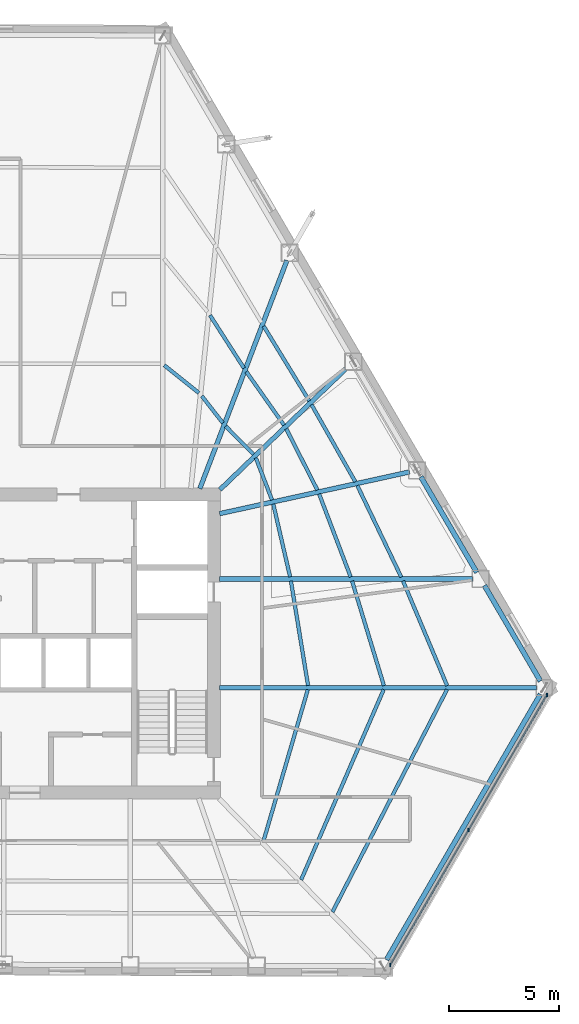
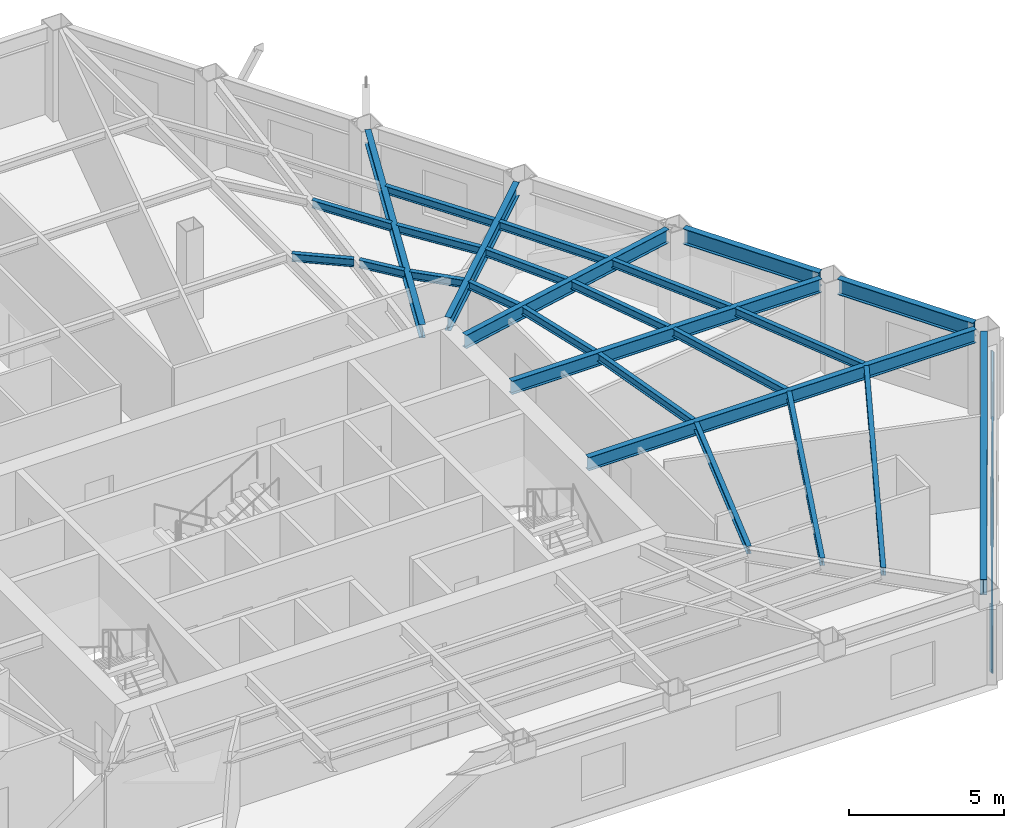
# One storey, part 3 of 14: 26 beams, 5 members, 1 element without a shape of its own.
"""IFC4 building model written with IfcOpenShell, lengths in metres."""

from ifc_helpers import new_model, si_unit, direction, frame, origin, origin_2d, place, context, subcontext, project, spatial, rectangle, i_section, extrude, material, layer, layer_set, material_profile, profile_set, type_object, element, aggregate, save


model = new_model("IFC4")

# Units and contexts
model_context = context("Model", 3, precision=1e-05, world=origin(), true_north=direction((0.0, 1.0)))
body_context = subcontext(model_context, "Body", "Model", "MODEL_VIEW")
ifc_project = project(units=[si_unit("LENGTHUNIT", "METRE"), si_unit("AREAUNIT", "SQUARE_METRE"), si_unit("VOLUMEUNIT", "CUBIC_METRE"), si_unit("PLANEANGLEUNIT", "RADIAN"), si_unit("MASSUNIT", "GRAM", prefix="KILO")], contexts=[model_context])

# Site, building, storey
site_placement = place(None, origin())
site = spatial("IfcSite", under=ifc_project, at=site_placement, CompositionType="ELEMENT")
building_placement = place(site_placement, origin())
building = spatial("IfcBuilding", under=site, at=building_placement, Name="Kavelnor Concourse Tower", CompositionType="ELEMENT")
storey_placement = place(building_placement, frame((0.0, 0.0, 52.199951171875)))
storey = spatial("IfcBuildingStorey", under=building, at=storey_placement, Name="L13", CompositionType="ELEMENT", Elevation=52.199951171875)

# Beams
ifc_material_1 = material(Name="Steel Grade 350", Category="steel")
ifc_material_profile_1 = material_profile(ifc_material_1, i_section(OverallWidth=0.166015625, OverallDepth=0.306884765625, WebThickness=0.006591796875, FlangeThickness=0.01171875, at=origin_2d()), Name="310UB46")
ifc_profile_set_1 = profile_set([ifc_material_profile_1], Name="Steel Grade 350")
beam_type_1 = type_object("IfcBeamType", Name="BM-JOIST-310", PredefinedType="JOIST", material=ifc_profile_set_1)
beam_1_placement = place(storey_placement, frame((50.077880859375, 7.08056640625, 3.4365234375), z_axis=(0.281000793645, 0.959707535643, 0.0), x_axis=(-0.959707535643, 0.281000793645, 0.0)))
element("IfcBeam", 1, at=beam_1_placement, inside=storey, type_object=beam_type_1, Name="L13 Secondary Composite Joist 08-1", PredefinedType="JOIST", context=body_context, shape_type="SweptSolid", body=[
    extrude(i_section(OverallWidth=0.166015625, OverallDepth=0.306884765625, WebThickness=0.006591796875, FlangeThickness=0.01171875, at=origin_2d()), origin(), (0.0, 0.0, 1.0), 7.20263671875),
])
beam_2_placement = place(storey_placement, frame((51.798583984375, 5.32568359375, 3.4365234375), z_axis=(0.398082865827, 0.917349460094, 0.0), x_axis=(-0.917349460094, 0.398082865827, 0.0)))
element("IfcBeam", 2, at=beam_2_placement, inside=storey, type_object=beam_type_1, Name="L13 Secondary Composite Joist 08-2", PredefinedType="JOIST", context=body_context, shape_type="SweptSolid", body=[
    extrude(i_section(OverallWidth=0.166015625, OverallDepth=0.306884765625, WebThickness=0.006591796875, FlangeThickness=0.01171875, at=origin_2d()), origin(), (0.0, 0.0, 1.0), 9.45263671875),
])
beam_3_placement = place(storey_placement, frame((53.228759765625, 3.86376953125, 3.4365234375), z_axis=(0.45780325277, 0.889053531433, 0.0), x_axis=(-0.889053531433, 0.45780325277, 0.0)))
element("IfcBeam", 3, at=beam_3_placement, inside=storey, type_object=beam_type_1, Name="L13 Secondary Composite Joist 08-3", PredefinedType="JOIST", context=body_context, shape_type="SweptSolid", body=[
    extrude(i_section(OverallWidth=0.166015625, OverallDepth=0.306884765625, WebThickness=0.006591796875, FlangeThickness=0.01171875, at=origin_2d()), origin(), (0.0, 0.0, 1.0), 11.401123046875),
])
beam_4_placement = place(storey_placement, frame((52.11376953125, 14.184814453125, 3.4365234375), z_axis=(-0.161723325878, 0.98683613932, 0.0), x_axis=(-0.98683613932, -0.161723325878, 0.0)))
element("IfcBeam", 4, at=beam_4_placement, inside=storey, type_object=beam_type_1, Name="L13 Secondary Composite Joist 09-1", PredefinedType="JOIST", context=body_context, shape_type="SweptSolid", body=[
    extrude(i_section(OverallWidth=0.166015625, OverallDepth=0.306884765625, WebThickness=0.006591796875, FlangeThickness=0.01171875, at=origin_2d()), origin(), (0.0, 0.0, 1.0), 4.82470703125),
])
beam_5_placement = place(storey_placement, frame((55.572021484375, 14.181640625, 3.4365234375), z_axis=(-0.291161615783, 0.956673880429, 0.0), x_axis=(-0.956673880429, -0.291161615783, 0.0)))
element("IfcBeam", 5, at=beam_5_placement, inside=storey, type_object=beam_type_1, Name="L13 Secondary Composite Joist 09-2", PredefinedType="JOIST", context=body_context, shape_type="SweptSolid", body=[
    extrude(i_section(OverallWidth=0.166015625, OverallDepth=0.306884765625, WebThickness=0.006591796875, FlangeThickness=0.01171875, at=origin_2d()), origin(), (0.0, 0.0, 1.0), 4.983154296875),
])
beam_6_placement = place(storey_placement, frame((58.455078125, 14.17822265625, 3.4365234375), z_axis=(-0.388309797091, 0.921528893461, 0.0), x_axis=(-0.921528893461, -0.388309797091, 0.0)))
element("IfcBeam", 6, at=beam_6_placement, inside=storey, type_object=beam_type_1, Name="L13 Secondary Composite Joist 09-3", PredefinedType="JOIST", context=body_context, shape_type="SweptSolid", body=[
    extrude(i_section(OverallWidth=0.166015625, OverallDepth=0.306884765625, WebThickness=0.006591796875, FlangeThickness=0.01171875, at=origin_2d()), origin(), (0.0, 0.0, 1.0), 5.1806640625),
])
beam_7_placement = place(storey_placement, frame((51.29541015625, 19.13916015625, 3.4365234375), z_axis=(-0.22527826817, 0.974294463645, 0.0), x_axis=(-0.974294463645, -0.22527826817, 0.0)))
element("IfcBeam", 7, at=beam_7_placement, inside=storey, type_object=beam_type_1, Name="L13 Secondary Composite Joist 10-1", PredefinedType="JOIST", context=body_context, shape_type="SweptSolid", body=[
    extrude(i_section(OverallWidth=0.166015625, OverallDepth=0.306884765625, WebThickness=0.006591796875, FlangeThickness=0.01171875, at=origin_2d()), origin(), (0.0, 0.0, 1.0), 3.40625),
])
beam_8_placement = place(storey_placement, frame((54.0576171875, 19.13525390625, 3.4365234375), z_axis=(-0.355350585365, 0.934733096387, 0.0), x_axis=(-0.934733096387, -0.355350585365, 0.0)))
element("IfcBeam", 8, at=beam_8_placement, inside=storey, type_object=beam_type_1, Name="L13 Secondary Composite Joist 10-2", PredefinedType="JOIST", context=body_context, shape_type="SweptSolid", body=[
    extrude(i_section(OverallWidth=0.166015625, OverallDepth=0.306884765625, WebThickness=0.006591796875, FlangeThickness=0.01171875, at=origin_2d()), origin(), (0.0, 0.0, 1.0), 4.04736328125),
])
beam_9_placement = place(storey_placement, frame((56.3623046875, 19.132080078125, 3.4365234375), z_axis=(-0.43299353632, 0.901397025458, 0.0), x_axis=(-0.901397025458, -0.43299353632, 0.0)))
element("IfcBeam", 9, at=beam_9_placement, inside=storey, type_object=beam_type_1, Name="L13 Secondary Composite Joist 10-3", PredefinedType="JOIST", context=body_context, shape_type="SweptSolid", body=[
    extrude(i_section(OverallWidth=0.166015625, OverallDepth=0.306884765625, WebThickness=0.006591796875, FlangeThickness=0.01171875, at=origin_2d()), origin(), (0.0, 0.0, 1.0), 4.626220703125),
])
beam_10_placement = place(storey_placement, frame((50.470458984375, 22.645751953125, 3.4365234375), z_axis=(-0.35905082807, 0.93331800736, 0.0), x_axis=(-0.93331800736, -0.35905082807, 0.0)))
element("IfcBeam", 10, at=beam_10_placement, inside=storey, type_object=beam_type_1, Name="L13 Secondary Composite Joist 11-1", PredefinedType="JOIST", context=body_context, shape_type="SweptSolid", body=[
    extrude(i_section(OverallWidth=0.166015625, OverallDepth=0.306884765625, WebThickness=0.006591796875, FlangeThickness=0.01171875, at=origin_2d()), origin(), (0.0, 0.0, 1.0), 2.052001953125),
])
beam_11_placement = place(storey_placement, frame((52.539794921875, 23.098388671875, 3.4365234375), z_axis=(-0.453600786437, 0.891204985704, 0.0), x_axis=(-0.891204985704, -0.453600786437, 0.0)))
element("IfcBeam", 11, at=beam_11_placement, inside=storey, type_object=beam_type_1, Name="L13 Secondary Composite Joist 11-2", PredefinedType="JOIST", context=body_context, shape_type="SweptSolid", body=[
    extrude(i_section(OverallWidth=0.166015625, OverallDepth=0.306884765625, WebThickness=0.006591796875, FlangeThickness=0.01171875, at=origin_2d()), origin(), (0.0, 0.0, 1.0), 3.128662109375),
])
beam_12_placement = place(storey_placement, frame((54.267822265625, 23.476806640625, 3.4365234375), z_axis=(-0.493840184512, 0.869552685098, 0.0), x_axis=(-0.869552685098, -0.493840184512, 0.0)))
element("IfcBeam", 12, at=beam_12_placement, inside=storey, type_object=beam_type_1, Name="L13 Secondary Composite Joist 11-3", PredefinedType="JOIST", context=body_context, shape_type="SweptSolid", body=[
    extrude(i_section(OverallWidth=0.166015625, OverallDepth=0.306884765625, WebThickness=0.006591796875, FlangeThickness=0.01171875, at=origin_2d()), origin(), (0.0, 0.0, 1.0), 4.04052734375),
])
beam_13_placement = place(storey_placement, frame((49.62890625, 24.72314453125, 3.4365234375), z_axis=(-0.70323974482, 0.710952784161, 0.0), x_axis=(-0.710952784161, -0.70323974482, 0.0)))
element("IfcBeam", 13, at=beam_13_placement, inside=storey, type_object=beam_type_1, Name="L13 Secondary Composite Joist 12-1", PredefinedType="JOIST", context=body_context, shape_type="SweptSolid", body=[
    extrude(i_section(OverallWidth=0.166015625, OverallDepth=0.306884765625, WebThickness=0.006591796875, FlangeThickness=0.01171875, at=origin_2d()), origin(), (0.0, 0.0, 1.0), 1.80419921875),
])
beam_14_placement = place(storey_placement, frame((51.01904296875, 26.05517578125, 3.4365234375), z_axis=(-0.576162399525, 0.817335236836, 0.0), x_axis=(-0.817335236836, -0.576162399525, 0.0)))
element("IfcBeam", 14, at=beam_14_placement, inside=storey, type_object=beam_type_1, Name="L13 Secondary Composite Joist 12-2", PredefinedType="JOIST", context=body_context, shape_type="SweptSolid", body=[
    extrude(i_section(OverallWidth=0.166015625, OverallDepth=0.306884765625, WebThickness=0.006591796875, FlangeThickness=0.01171875, at=origin_2d()), origin(), (0.0, 0.0, 1.0), 2.982177734375),
])
beam_15_placement = place(storey_placement, frame((52.17236328125, 27.159912109375, 3.4365234375), z_axis=(-0.521183066155, 0.853444908329, 0.0), x_axis=(-0.853444908329, -0.521183066155, 0.0)))
element("IfcBeam", 15, at=beam_15_placement, inside=storey, type_object=beam_type_1, Name="L13 Secondary Composite Joist 12-3", PredefinedType="JOIST", context=body_context, shape_type="SweptSolid", body=[
    extrude(i_section(OverallWidth=0.166015625, OverallDepth=0.306884765625, WebThickness=0.006591796875, FlangeThickness=0.01171875, at=origin_2d()), origin(), (0.0, 0.0, 1.0), 3.995849609375),
])
beam_16_placement = place(storey_placement, frame((48.230224609375, 26.15380859375, 3.4365234375), z_axis=(-0.61437387378, 0.789015046255, 0.0), x_axis=(-0.789015046255, -0.61437387378, 0.0)))
element("IfcBeam", 16, at=beam_16_placement, inside=storey, type_object=beam_type_1, Name="L13 Secondary Composite Joist 13-1", PredefinedType="JOIST", context=body_context, shape_type="SweptSolid", body=[
    extrude(i_section(OverallWidth=0.166015625, OverallDepth=0.306884765625, WebThickness=0.006591796875, FlangeThickness=0.01171875, at=origin_2d()), origin(), (0.0, 0.0, 1.0), 1.56005859375),
])
beam_17_placement = place(storey_placement, frame((49.19091796875, 28.656005859375, 3.4365234375), z_axis=(-0.540245068366, 0.841507733836, 0.0), x_axis=(-0.841507733836, -0.540245068366, 0.0)))
element("IfcBeam", 17, at=beam_17_placement, inside=storey, type_object=beam_type_1, Name="L13 Secondary Composite Joist 13-2", PredefinedType="JOIST", context=body_context, shape_type="SweptSolid", body=[
    extrude(i_section(OverallWidth=0.166015625, OverallDepth=0.306884765625, WebThickness=0.006591796875, FlangeThickness=0.01171875, at=origin_2d()), origin(), (0.0, 0.0, 1.0), 2.865478515625),
])
beam_18_placement = place(storey_placement, frame((47.134521484375, 27.524169921875, 3.4365234375), z_axis=(-0.780184739566, 0.625549176443, 0.0), x_axis=(-0.625549176443, -0.780184739566, 0.0)))
element("IfcBeam", 18, at=beam_18_placement, inside=storey, type_object=beam_type_1, Name="L13 Secondary Composite Joist 14-1", PredefinedType="JOIST", context=body_context, shape_type="SweptSolid", body=[
    extrude(i_section(OverallWidth=0.166015625, OverallDepth=0.306884765625, WebThickness=0.006591796875, FlangeThickness=0.01171875, at=origin_2d()), origin(), (0.0, 0.0, 1.0), 2.02099609375),
])
ifc_material_profile_2 = material_profile(ifc_material_1, i_section(OverallWidth=0.208984375, OverallDepth=0.528076171875, WebThickness=0.009521484375, FlangeThickness=0.01318359375, at=origin_2d()), Name="530UB82")
ifc_profile_set_2 = profile_set([ifc_material_profile_2], Name="Steel Grade 350")
beam_type_2 = type_object("IfcBeamType", Name="BM-PRIMARY-530", PredefinedType="BEAM", material=ifc_profile_set_2)
beam_19_placement = place(storey_placement, frame((48.080078125, 14.08740234375, 3.325927734375), z_axis=(1.0, 0.0, 0.0), x_axis=(0.0, 1.0, 0.0)))
element("IfcBeam", 19, at=beam_19_placement, inside=storey, type_object=beam_type_2, Name="L13 Primary Floor Girder F2-B0", PredefinedType="BEAM", context=body_context, shape_type="SweptSolid", body=[
    extrude(i_section(OverallWidth=0.208984375, OverallDepth=0.528076171875, WebThickness=0.009521484375, FlangeThickness=0.01318359375, at=origin_2d()), origin(), (0.0, 0.0, 1.0), 14.462890625),
])
beam_20_placement = place(storey_placement, frame((48.080078125, 19.043212890625, 3.325927734375), z_axis=(1.0, 0.0, 0.0), x_axis=(0.0, 1.0, 0.0)))
element("IfcBeam", 20, at=beam_20_placement, inside=storey, type_object=beam_type_2, Name="L13 Primary Floor Girder F2-B1", PredefinedType="BEAM", context=body_context, shape_type="SweptSolid", body=[
    extrude(i_section(OverallWidth=0.208984375, OverallDepth=0.528076171875, WebThickness=0.009521484375, FlangeThickness=0.01318359375, at=origin_2d()), origin(), (0.0, 0.0, 1.0), 11.5625),
])
beam_21_placement = place(storey_placement, frame((48.080810546875, 22.02099609375, 3.325927734375), z_axis=(0.976703823245, 0.214591802401, 0.0), x_axis=(-0.214591802401, 0.976703823245, 0.0)))
element("IfcBeam", 21, at=beam_21_placement, inside=storey, type_object=beam_type_2, Name="L13 Primary Floor Girder F2-B2", PredefinedType="BEAM", context=body_context, shape_type="SweptSolid", body=[
    extrude(i_section(OverallWidth=0.208984375, OverallDepth=0.528076171875, WebThickness=0.009521484375, FlangeThickness=0.01318359375, at=origin_2d()), origin(), (0.0, 0.0, 1.0), 8.8671875),
])
beam_22_placement = place(storey_placement, frame((48.091064453125, 23.111328125, 3.325927734375), z_axis=(0.721626495348, 0.69228260213, 0.0), x_axis=(-0.69228260213, 0.721626495348, 0.0)))
element("IfcBeam", 22, at=beam_22_placement, inside=storey, type_object=beam_type_2, Name="L13 Primary Floor Girder F2-B3", PredefinedType="BEAM", context=body_context, shape_type="SweptSolid", body=[
    extrude(i_section(OverallWidth=0.208984375, OverallDepth=0.528076171875, WebThickness=0.009521484375, FlangeThickness=0.01318359375, at=origin_2d()), origin(), (0.0, 0.0, 1.0), 7.953857421875),
])
beam_23_placement = place(storey_placement, frame((47.178466796875, 23.16259765625, 3.325927734375), z_axis=(0.356676172335, 0.934228081407, 0.0), x_axis=(-0.934228081407, 0.356676172335, 0.0)))
element("IfcBeam", 23, at=beam_23_placement, inside=storey, type_object=beam_type_2, Name="L13 Primary Floor Girder F2-B4", PredefinedType="BEAM", context=body_context, shape_type="SweptSolid", body=[
    extrude(i_section(OverallWidth=0.208984375, OverallDepth=0.528076171875, WebThickness=0.009521484375, FlangeThickness=0.01318359375, at=origin_2d()), origin(), (0.0, 0.0, 1.0), 11.13720703125),
])
ifc_material_profile_3 = material_profile(ifc_material_1, i_section(OverallWidth=0.22900390625, OverallDepth=0.612060546875, WebThickness=0.011962890625, FlangeThickness=0.01953125, at=origin_2d()), Name="610UB125")
ifc_profile_set_3 = profile_set([ifc_material_profile_3], Name="Steel Grade 350")
beam_type_3 = type_object("IfcBeamType", Name="BM-SPANDREL-Z1", PredefinedType="SPANDREL", material=ifc_profile_set_3)
for number, where, z_axis, x_axis, name in (
    (24, (62.70849609375, 14.38525390625, 3.283935546875), (-0.505069459856, 0.863078699031, 0.0), (-0.863078699031, -0.505069459856, 0.0), "L13 Perimeter Tube Spandrel Beam F2-B0"),
    (25, (59.808349609375, 19.341064453125, 3.283935546875), (-0.505126525655, 0.86304530187, 0.0), (-0.86304530187, -0.505126525655, 0.0), "L13 Perimeter Tube Spandrel Beam F2-B1"),
):
    element("IfcBeam", number, at=place(storey_placement, frame(where, z_axis=z_axis, x_axis=x_axis)), inside=storey, type_object=beam_type_3, Name=name, PredefinedType="SPANDREL", context=body_context, shape_type="SweptSolid", body=[
        extrude(i_section(OverallWidth=0.22900390625, OverallDepth=0.612060546875, WebThickness=0.011962890625, FlangeThickness=0.01953125, at=origin_2d()), origin(), (0.0, 0.0, 1.0), 5.0517578125),
    ])
beam_24_placement = place(storey_placement, frame((55.693603515625, 1.680908203125, 3.283935546875), z_axis=(0.50137733128, 0.865228739512, 0.0), x_axis=(-0.865228739512, 0.50137733128, 0.0)))
element("IfcBeam", 26, at=beam_24_placement, inside=storey, type_object=beam_type_3, Name="L13 Chamfer Facet Spandrel Beam C2", PredefinedType="SPANDREL", context=body_context, shape_type="SweptSolid", body=[
    extrude(i_section(OverallWidth=0.22900390625, OverallDepth=0.612060546875, WebThickness=0.011962890625, FlangeThickness=0.01953125, at=origin_2d()), origin(), (0.0, 0.0, 1.0), 13.994140625),
])

# Curtain wall, members
ifc_material_2 = material(Name="Anodised aluminium 6063-T6", Category="aluminium")
ifc_layer = layer(ifc_material_2, 0.155029296875, Name="Anodised aluminium 6063-T6")
ifc_layer_set = layer_set([ifc_layer], Name="Anodised aluminium 6063-T6")
curtain_wall_type = type_object("IfcCurtainWallType", Name="CW-CORNER-ACCENT", PredefinedType="NOTDEFINED", material=ifc_layer_set)
curtain_wall_placement = place(storey_placement, origin())
curtain_wall = element("IfcCurtainWall", 27, at=curtain_wall_placement, inside=storey, type_object=curtain_wall_type, Name="L13 Chamfer Corner Glazed Accent C2", PredefinedType="NOTDEFINED")
ifc_material_profile_4 = material_profile(ifc_material_2, rectangle(XDim=0.06005859375, YDim=0.155029296875, at=origin_2d()), Name="AL-MULL 60x155")
ifc_profile_set_4 = profile_set([ifc_material_profile_4], Name="Anodised aluminium 6063-T6")
member_type_1 = type_object("IfcMemberType", Name="CW-CORNER-ACCENT-MULL", PredefinedType="MULLION", material=ifc_profile_set_4)
member_1_placement = place(storey_placement, frame((63.006103515625, 13.76123046875, 0.0), z_axis=(0.0, 0.0, 1.0), x_axis=(1.0, 0.0, 0.0)))
member_1 = element("IfcMember", 28, at=member_1_placement, type_object=member_type_1, Name="L13 Chamfer Corner Glazed Accent C2 Mullion 0", PredefinedType="MULLION", context=body_context, shape_type="SweptSolid", body=[
    extrude(rectangle(XDim=0.06005859375, YDim=0.155029296875, at=origin_2d()), origin(), (0.0, 0.0, 1.0), 2.699951171875),
])
member_2_placement = place(storey_placement, frame((59.435791015625, 7.60009765625, 0.0), z_axis=(0.0, 0.0, 1.0), x_axis=(1.0, 0.0, 0.0)))
member_2 = element("IfcMember", 29, at=member_2_placement, type_object=member_type_1, Name="L13 Chamfer Corner Glazed Accent C2 Mullion 1", PredefinedType="MULLION", context=body_context, shape_type="SweptSolid", body=[
    extrude(rectangle(XDim=0.06005859375, YDim=0.155029296875, at=origin_2d()), origin(), (0.0, 0.0, 1.0), 2.699951171875),
])
member_3_placement = place(storey_placement, frame((55.865478515625, 1.43896484375, 0.0), z_axis=(0.0, 0.0, 1.0), x_axis=(1.0, 0.0, 0.0)))
member_3 = element("IfcMember", 30, at=member_3_placement, type_object=member_type_1, Name="L13 Chamfer Corner Glazed Accent C2 Mullion 2", PredefinedType="MULLION", context=body_context, shape_type="SweptSolid", body=[
    extrude(rectangle(XDim=0.06005859375, YDim=0.155029296875, at=origin_2d()), origin(), (0.0, 0.0, 1.0), 2.699951171875),
])
ifc_material_profile_5 = material_profile(ifc_material_2, rectangle(XDim=0.06005859375, YDim=0.1298828125, at=origin_2d()), Name="AL-TRAN 60x130")
ifc_profile_set_5 = profile_set([ifc_material_profile_5], Name="Anodised aluminium 6063-T6")
member_type_2 = type_object("IfcMemberType", Name="CW-CORNER-ACCENT-TRAN", PredefinedType="USERDEFINED", material=ifc_profile_set_5)
member_4_placement = place(storey_placement, frame((63.006103515625, 13.76123046875, 0.06005859375), z_axis=(-0.501387617573, -0.865222778794, 0.0), x_axis=(0.865222778794, -0.501387617573, 0.0)))
member_4 = element("IfcMember", 31, at=member_4_placement, type_object=member_type_2, Name="L13 Chamfer Corner Glazed Accent C2 Transom 0-BOT", ObjectType="TRANSOM", PredefinedType="USERDEFINED", context=body_context, shape_type="SweptSolid", body=[
    extrude(rectangle(XDim=0.06005859375, YDim=0.1298828125, at=origin_2d()), origin(), (0.0, 0.0, 1.0), 14.24169921875),
])
member_5_placement = place(storey_placement, frame((63.006103515625, 13.76123046875, 2.64013671875), z_axis=(-0.501387617573, -0.865222778794, 0.0), x_axis=(0.865222778794, -0.501387617573, 0.0)))
member_5 = element("IfcMember", 32, at=member_5_placement, type_object=member_type_2, Name="L13 Chamfer Corner Glazed Accent C2 Transom 0-TOP", ObjectType="TRANSOM", PredefinedType="USERDEFINED", context=body_context, shape_type="SweptSolid", body=[
    extrude(rectangle(XDim=0.06005859375, YDim=0.1298828125, at=origin_2d()), origin(), (0.0, 0.0, 1.0), 14.24169921875),
])
aggregate(curtain_wall, [member_1, member_2, member_3, member_4, member_5])

save(model, "model.ifc")
